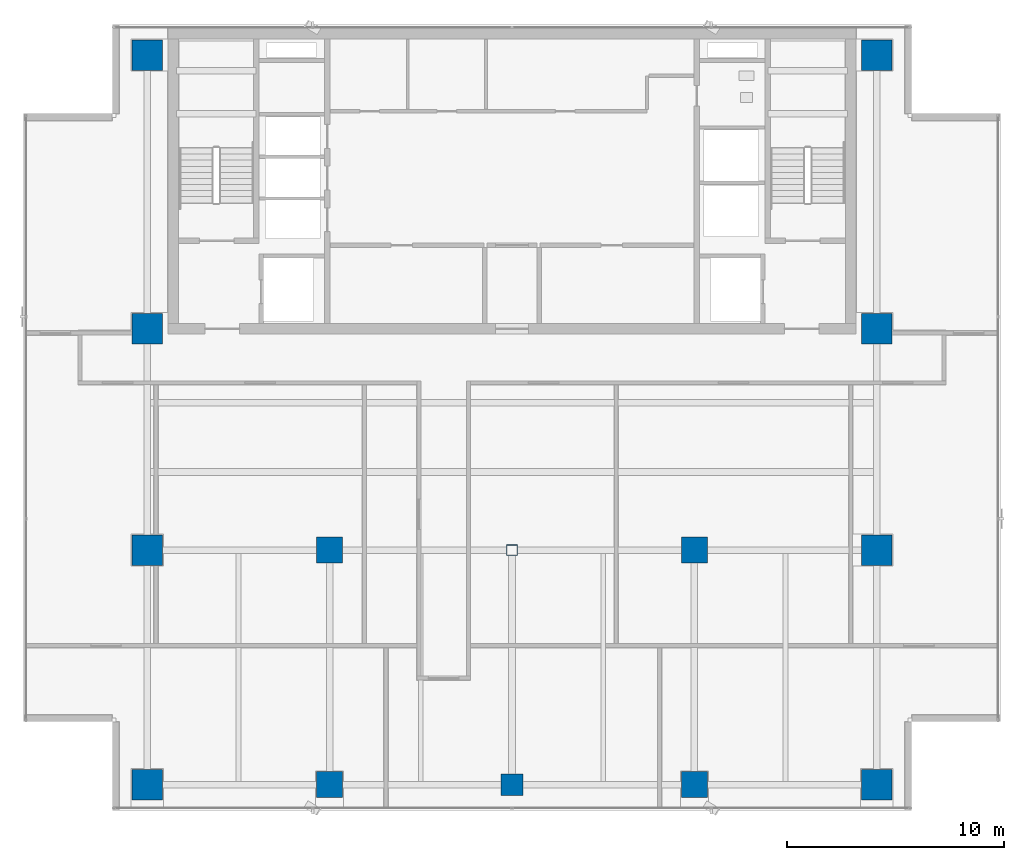
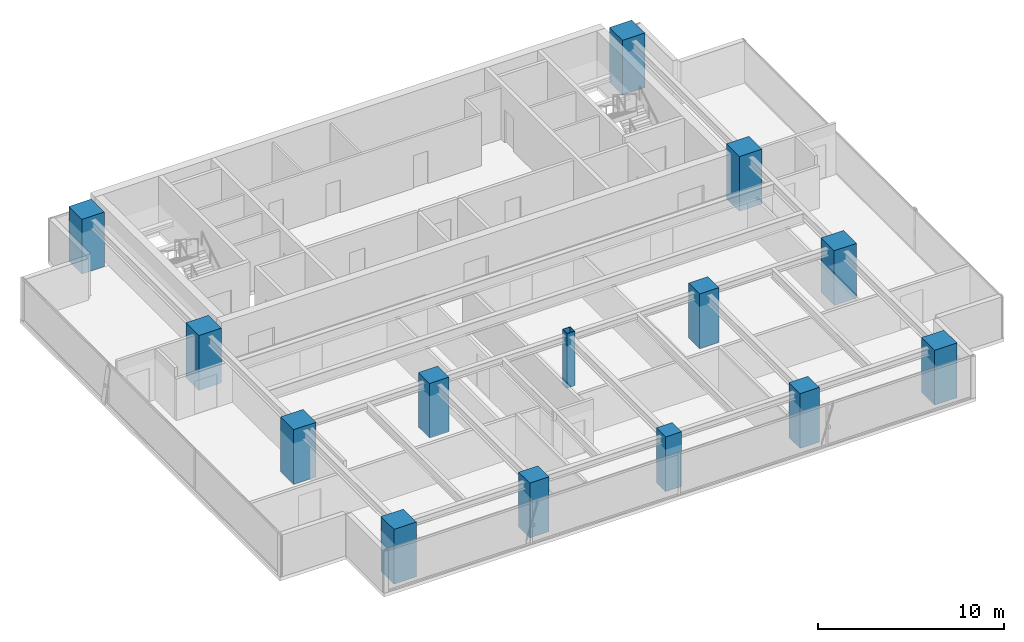
# One storey, part 1 of 26: 14 columns.
"""IFC4 building model written with IfcOpenShell, lengths in metres."""

from ifc_helpers import new_model, si_unit, direction, frame, origin, origin_with_axes, origin_2d, place, context, subcontext, project, spatial, rectangle, hollow_rectangle, extrude, source, transform, mapped, material, material_profile, profile_set, type_object, element, save


model = new_model("IFC4")

# Units and contexts
model_context = context("Model", 3, precision=1e-05, world=origin(), true_north=direction((0.0, 1.0)))
body_context = subcontext(model_context, "Body", "Model", "MODEL_VIEW")
ifc_project = project(units=[si_unit("LENGTHUNIT", "METRE"), si_unit("AREAUNIT", "SQUARE_METRE"), si_unit("VOLUMEUNIT", "CUBIC_METRE"), si_unit("PLANEANGLEUNIT", "RADIAN"), si_unit("MASSUNIT", "GRAM", prefix="KILO")], contexts=[model_context])

# Site, building, storey
site_placement = place(None, origin())
site = spatial("IfcSite", under=ifc_project, at=site_placement, CompositionType="ELEMENT")
building_placement = place(site_placement, origin())
building = spatial("IfcBuilding", under=site, at=building_placement, Name="Sumidabori Civic Tower", CompositionType="ELEMENT")
storey_placement = place(building_placement, frame((0.0, 0.0, 264.800048828125)))
storey = spatial("IfcBuildingStorey", under=building, at=storey_placement, Name="L69", CompositionType="ELEMENT", Elevation=264.800048828125)

# Columns
ifc_material_1 = material(Name="Concrete C60/75", Category="concrete")
ifc_material_profile_1 = material_profile(ifc_material_1, rectangle(XDim=1.39990234375, YDim=1.39990234375, at=origin_2d()), Name="RC 1400x1400")
ifc_profile_set_1 = profile_set([ifc_material_profile_1], Name="Concrete C60/75")
column_type_1 = type_object("IfcColumnType", Name="CL-MEGA-1400", PredefinedType="COLUMN", material=ifc_profile_set_1)
shared_shape_1 = source(origin(), body_context, "Body", "SweptSolid", [
    extrude(rectangle(XDim=1.39990234375, YDim=1.39990234375, at=origin_2d()), origin(), (0.0, 0.0, 1.0), 3.599853515625),
])
for number, where, z_axis, x_axis, name in (
    (1, (-16.800048828125, -10.800048828125, 0.0), (0.0, 0.0, 1.0), (1.0, 0.0, 0.0), "Column MC-W16-Y11S L69"),
    (2, (-16.800048828125, 0.0, 0.0), (0.0, 0.0, 1.0), (1.0, 0.0, 0.0), "Column MC-W16-Y00 L69"),
    (3, (-16.800048828125, 10.199951171875, 0.0), (0.0, 0.0, 1.0), (1.0, 0.0, 0.0), "Column MC-W16-Y10N L69"),
    (4, (-16.800048828125, 22.800048828125, 0.0), (0.0, 0.0, 1.0), (1.0, 0.0, 0.0), "Column MC-W16-Y23N L69"),
    (5, (16.800048828125, -10.800048828125, 0.0), (0.0, 0.0, 1.0), (1.0, 0.0, 0.0), "Column MC-E16-Y11S L69"),
    (6, (16.800048828125, 0.0, 0.0), (0.0, 0.0, 1.0), (1.0, 0.0, 0.0), "Column MC-E16-Y00 L69"),
    (7, (16.800048828125, 10.199951171875, 0.0), (0.0, 0.0, 1.0), (1.0, 0.0, 0.0), "Column MC-E16-Y10N L69"),
    (8, (16.800048828125, 22.800048828125, 0.0), (0.0, 0.0, 1.0), (1.0, 0.0, 0.0), "Column MC-E16-Y23N L69"),
):
    element("IfcColumn", number, at=place(storey_placement, frame(where, z_axis=z_axis, x_axis=x_axis)), inside=storey, type_object=column_type_1, Name=name, PredefinedType="COLUMN", context=body_context, shape_type="MappedRepresentation", body=[
        mapped(shared_shape_1, transform((0.0, 0.0, 0.0), x_axis=(1.0, 0.0, 0.0), y_axis=(0.0, 1.0, 0.0), z_axis=(0.0, 0.0, 1.0), scale=1.0)),
    ])
ifc_material_2 = material(Name="Concrete C50/60", Category="concrete")
ifc_material_profile_2 = material_profile(ifc_material_2, rectangle(XDim=1.0, YDim=1.0, at=origin_2d()), Name="RC 1000x1000")
ifc_profile_set_2 = profile_set([ifc_material_profile_2], Name="Concrete C50/60")
column_type_2 = type_object("IfcColumnType", Name="CL-INT-1000", PredefinedType="COLUMN", material=ifc_profile_set_2)
shared_shape_2 = source(origin(), body_context, "Body", "SweptSolid", [
    extrude(rectangle(XDim=1.0, YDim=1.0, at=origin_2d()), origin(), (0.0, 0.0, 1.0), 3.599853515625),
])
column_1_placement = place(storey_placement, frame((0.0, -10.800048828125, 0.0), z_axis=(0.0, 0.0, 1.0), x_axis=(1.0, 0.0, 0.0)))
element("IfcColumn", 9, at=column_1_placement, inside=storey, type_object=column_type_2, Name="Column MC-C00-Y11S L69", PredefinedType="COLUMN", context=body_context, shape_type="MappedRepresentation", body=[
    mapped(shared_shape_2, transform((0.0, 0.0, 0.0), x_axis=(1.0, 0.0, 0.0), y_axis=(0.0, 1.0, 0.0), z_axis=(0.0, 0.0, 1.0), scale=1.0)),
])
ifc_material_profile_3 = material_profile(ifc_material_2, rectangle(XDim=1.199951171875, YDim=1.199951171875, at=origin_2d()), Name="RC 1200x1200")
ifc_profile_set_3 = profile_set([ifc_material_profile_3], Name="Concrete C50/60")
column_type_3 = type_object("IfcColumnType", Name="CL-MEGA-1200", PredefinedType="COLUMN", material=ifc_profile_set_3)
shared_shape_3 = source(origin(), body_context, "Body", "SweptSolid", [
    extrude(rectangle(XDim=1.199951171875, YDim=1.199951171875, at=origin_2d()), origin(), (0.0, 0.0, 1.0), 3.599853515625),
])
for number, where, z_axis, x_axis, name in (
    (10, (-8.39990234375, 0.0, 0.0), (0.0, 0.0, 1.0), (1.0, 0.0, 0.0), "Column MC-W08-Y00 L69"),
    (11, (-8.39990234375, -10.800048828125, 0.0), (0.0, 0.0, 1.0), (1.0, 0.0, 0.0), "Column MC-W08-Y11S L69"),
    (12, (8.39990234375, 0.0, 0.0), (0.0, 0.0, 1.0), (1.0, 0.0, 0.0), "Column MC-E08-Y00 L69"),
    (13, (8.39990234375, -10.800048828125, 0.0), (0.0, 0.0, 1.0), (1.0, 0.0, 0.0), "Column MC-E08-Y11S L69"),
):
    element("IfcColumn", number, at=place(storey_placement, frame(where, z_axis=z_axis, x_axis=x_axis)), inside=storey, type_object=column_type_3, Name=name, PredefinedType="COLUMN", context=body_context, shape_type="MappedRepresentation", body=[
        mapped(shared_shape_3, transform((0.0, 0.0, 0.0), x_axis=(1.0, 0.0, 0.0), y_axis=(0.0, 1.0, 0.0), z_axis=(0.0, 0.0, 1.0), scale=1.0)),
    ])
ifc_material_3 = material(Name="Steel SN490", Category="steel")
ifc_material_profile_4 = material_profile(ifc_material_3, hollow_rectangle(XDim=0.5, YDim=0.5, WallThickness=0.02490234375, at=origin_2d()), Name="SHS 500x500x25")
ifc_profile_set_4 = profile_set([ifc_material_profile_4], Name="Steel SN490")
column_type_4 = type_object("IfcColumnType", Name="CL-CRN-SHS500", PredefinedType="COLUMN", material=ifc_profile_set_4)
shared_shape_4 = source(origin(), body_context, "Body", "SweptSolid", [
    extrude(hollow_rectangle(XDim=0.5, YDim=0.5, WallThickness=0.02490234375, at=origin_2d()), origin(), (0.0, 0.0, 1.0), 3.599853515625),
])
column_2_placement = place(storey_placement, origin_with_axes())
element("IfcColumn", 14, at=column_2_placement, inside=storey, type_object=column_type_4, Name="Column MC-C00-Y00 L69", PredefinedType="COLUMN", context=body_context, shape_type="MappedRepresentation", body=[
    mapped(shared_shape_4, transform((0.0, 0.0, 0.0), x_axis=(1.0, 0.0, 0.0), y_axis=(0.0, 1.0, 0.0), z_axis=(0.0, 0.0, 1.0), scale=1.0)),
])

save(model, "model.ifc")
